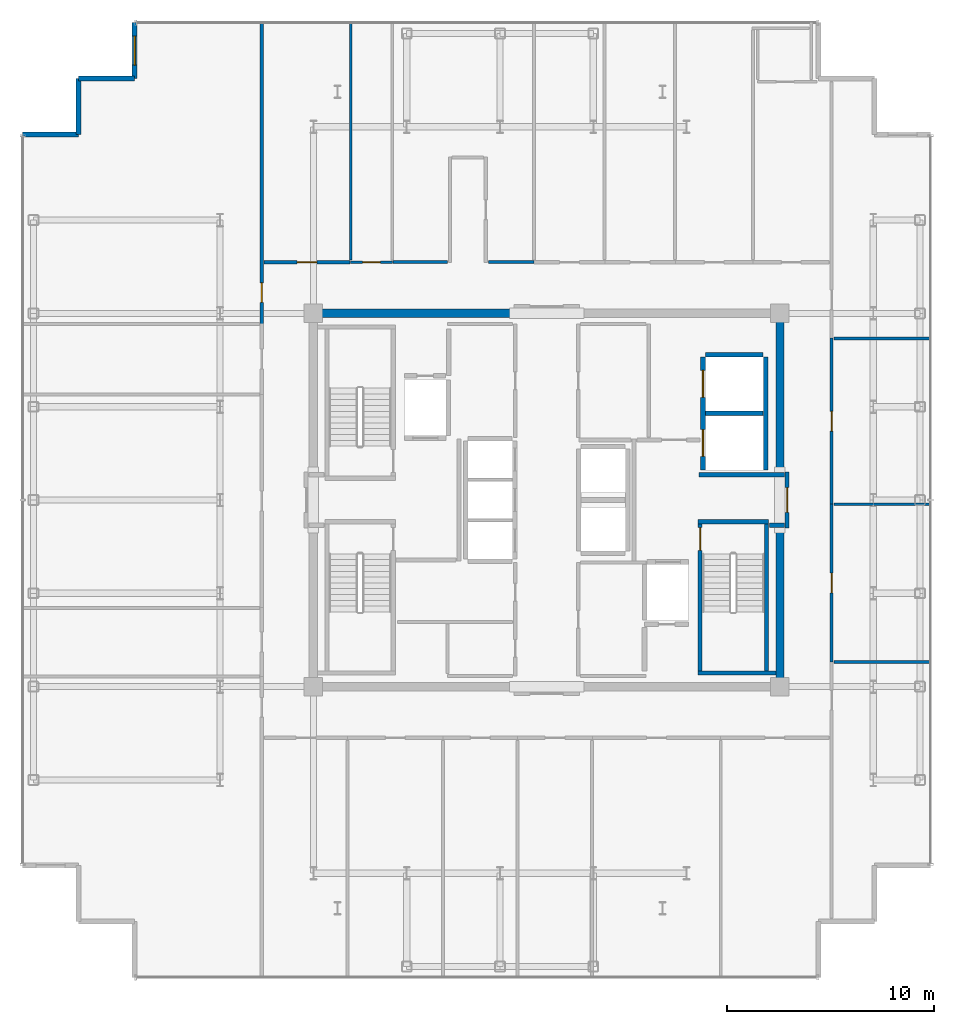
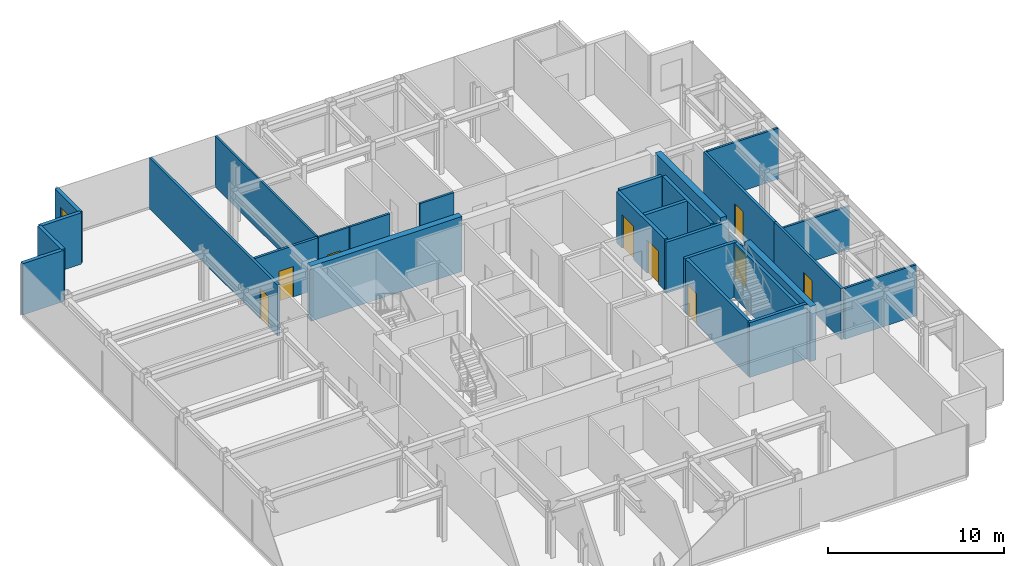
# One storey, part 15 of 17: 29 walls, 9 doors, 1 window, 10 openings.
"""IFC4 building model written with IfcOpenShell, lengths in metres."""

from ifc_helpers import new_model, si_unit, direction, frame, frame_2d, origin, place, context, subcontext, project, spatial, rectangle, extrude, source, transform, mapped, material, layer, layer_set, type_object, element, fill, save


model = new_model("IFC4")

# Units and contexts
model_context = context("Model", 3, precision=1e-05, world=origin(), true_north=direction((0.0, 1.0)))
body_context = subcontext(model_context, "Body", "Model", "MODEL_VIEW")
ifc_project = project(units=[si_unit("LENGTHUNIT", "METRE"), si_unit("AREAUNIT", "SQUARE_METRE"), si_unit("VOLUMEUNIT", "CUBIC_METRE"), si_unit("PLANEANGLEUNIT", "RADIAN"), si_unit("MASSUNIT", "GRAM", prefix="KILO")], contexts=[model_context])

# Site, building, storey
site_placement = place(None, origin())
site = spatial("IfcSite", under=ifc_project, at=site_placement, CompositionType="ELEMENT")
building_placement = place(site_placement, origin())
building = spatial("IfcBuilding", under=site, at=building_placement, Name="Nefas-Gora Pilgrimage Tower", CompositionType="ELEMENT")
storey_placement = place(building_placement, frame((0.0, 0.0, 341.39990234375)))
storey = spatial("IfcBuildingStorey", under=building, at=storey_placement, Name="L86", CompositionType="ELEMENT", Elevation=341.39990234375)

# Walls
ifc_material_1 = material(Name="Concrete C50/60", Category="concrete")
ifc_layer_1 = layer(ifc_material_1, 0.39990234375)
ifc_layer_set_1 = layer_set([ifc_layer_1], Name="Concrete C50/60")
wall_type_1 = type_object("IfcWallType", Name="SW-CORE-400", PredefinedType="SHEAR", material=ifc_layer_set_1)
shared_shape_1 = source(origin(), body_context, "Body", "SweptSolid", [
    extrude(rectangle(XDim=9.89990234375, YDim=0.39990234375, at=frame_2d((4.949951171875, 0.0))), origin(), (0.0, 0.0, 1.0), 3.800048828125),
])
wall_1_placement = place(storey_placement, frame((-11.449951171875, 9.0, 0.0), z_axis=(0.0, 0.0, 1.0), x_axis=(1.0, 0.0, 0.0)))
element("IfcWall", 1, at=wall_1_placement, inside=storey, type_object=wall_type_1, Name="L86 Core Shear Wall N-West", PredefinedType="SHEAR", context=body_context, shape_type="MappedRepresentation", body=[
    mapped(shared_shape_1, transform((0.0, 0.0, 0.0), x_axis=(1.0, 0.0, 0.0), y_axis=(0.0, 1.0, 0.0), z_axis=(0.0, 0.0, 1.0), scale=1.0)),
])
shared_shape_2 = source(origin(), body_context, "Body", "SweptSolid", [
    extrude(rectangle(XDim=7.449951171875, YDim=0.39990234375, at=frame_2d((3.72509765625, 0.0))), origin(), (0.0, 0.0, 1.0), 3.800048828125),
])
for number, where, z_axis, x_axis, name in (
    (2, (11.25, -8.800048828125, 0.0), (0.0, 0.0, 1.0), (0.0, 1.0, 0.0), "L86 Core Shear Wall E-South"),
    (3, (11.25, 1.35009765625, 0.0), (0.0, 0.0, 1.0), (0.0, 1.0, 0.0), "L86 Core Shear Wall E-North"),
):
    element("IfcWall", number, at=place(storey_placement, frame(where, z_axis=z_axis, x_axis=x_axis)), inside=storey, type_object=wall_type_1, Name=name, PredefinedType="SHEAR", context=body_context, shape_type="MappedRepresentation", body=[
        mapped(shared_shape_2, transform((0.0, 0.0, 0.0), x_axis=(1.0, 0.0, 0.0), y_axis=(0.0, 1.0, 0.0), z_axis=(0.0, 0.0, 1.0), scale=1.0)),
    ])

# Wall, opening, window
ifc_material_2 = material(Name="Precast concrete C45/55", Category="concrete")
ifc_layer_2 = layer(ifc_material_2, 0.239990234375)
ifc_layer_set_2 = layer_set([ifc_layer_2], Name="Precast concrete C45/55")
wall_type_2 = type_object("IfcWallType", Name="EW-SERR-240", PredefinedType="SHEAR", material=ifc_layer_set_2)
shared_shape_3 = source(origin(), body_context, "Body", "SweptSolid", [
    extrude(rectangle(XDim=2.699951171875, YDim=0.239990234375, at=frame_2d((1.35009765625, 0.0))), origin(), (0.0, 0.0, 1.0), 3.550048828125),
])
wall_2_placement = place(storey_placement, frame((-19.8701171875, 23.02001953125, 0.0), z_axis=(0.0, 0.0, 1.0), x_axis=(0.0, -1.0, 0.0)))
wall_2 = element("IfcWall", 4, at=wall_2_placement, inside=storey, type_object=wall_type_2, Name="L86 Serrated Corner Shear Pier Wall 5", PredefinedType="SHEAR", context=body_context, shape_type="MappedRepresentation", body=[
    mapped(shared_shape_3, transform((0.0, 0.0, 0.0), x_axis=(1.0, 0.0, 0.0), y_axis=(0.0, 1.0, 0.0), z_axis=(0.0, 0.0, 1.0), scale=1.0)),
])
opening_1_placement = place(wall_2_placement, frame((0.64990234375, 0.0, 0.85009765625)))
opening_1 = element("IfcOpeningElement", 5, at=opening_1_placement, cuts=wall_2, Name="Opening W-V2", PredefinedType="OPENING", context=body_context, shape_type="SweptSolid", body=[
    extrude(rectangle(XDim=1.39990234375, YDim=1.800048828125, at=frame_2d((0.699951171875, 0.89990234375))), frame((0.0, 0.1298828125, 0.0), z_axis=(0.0, -1.0, 0.0), x_axis=(1.0, 0.0, 0.0)), (0.0, 0.0, 1.0), 0.260009765625),
])
ifc_material_3 = material(Name="Dark ceramic-fritted operable aluminium-glass window", Category="aluminium")
window_type = type_object("IfcWindowType", Name="WIN-VENT-1400x1800", PartitioningType="SINGLE_PANEL", PredefinedType="WINDOW", material=ifc_material_3)
shared_shape_4 = source(origin(), body_context, "Body", "SweptSolid", [
    extrude(rectangle(XDim=1.39990234375, YDim=1.800048828125, at=frame_2d((0.699951171875, 0.89990234375))), frame((0.0, 0.030029296875, 0.0), z_axis=(0.0, -1.0, 0.0), x_axis=(1.0, 0.0, 0.0)), (0.0, 0.0, 1.0), 0.06005859375),
])
window_placement = place(opening_1_placement, origin())
window = element("IfcWindow", 6, at=window_placement, inside=storey, type_object=window_type, Name="L86 Operable Parallel-Outswing Window 5", OverallHeight=1.800048828125, OverallWidth=1.39990234375, PartitioningType="SINGLE_PANEL", PredefinedType="WINDOW", context=body_context, shape_type="MappedRepresentation", body=[
    mapped(shared_shape_4, transform((0.0, 0.0, 0.0), x_axis=(1.0, 0.0, 0.0), y_axis=(0.0, 1.0, 0.0), z_axis=(0.0, 0.0, 1.0), scale=1.0)),
])
fill(opening_1, window)

# Walls
for number, where, z_axis, x_axis, name in (
    (7, (-19.8701171875, 20.320068359375, 0.0), (0.0, 0.0, 1.0), (-1.0, 0.0, 0.0), "L86 Serrated Corner Shear Pier Wall 6"),
    (8, (-22.570068359375, 20.320068359375, 0.0), (0.0, 0.0, 1.0), (0.0, -1.0, 0.0), "L86 Serrated Corner Shear Pier Wall 7"),
    (9, (-22.570068359375, 17.6201171875, 0.0), (0.0, 0.0, 1.0), (-1.0, 0.0, 0.0), "L86 Serrated Corner Shear Pier Wall 8"),
):
    element("IfcWall", number, at=place(storey_placement, frame(where, z_axis=z_axis, x_axis=x_axis)), inside=storey, type_object=wall_type_2, Name=name, PredefinedType="SHEAR", context=body_context, shape_type="MappedRepresentation", body=[
        mapped(shared_shape_3, transform((0.0, 0.0, 0.0), x_axis=(1.0, 0.0, 0.0), y_axis=(0.0, 1.0, 0.0), z_axis=(0.0, 0.0, 1.0), scale=1.0)),
    ])
ifc_material_4 = material(Name="Concrete C45/55", Category="concrete")
ifc_layer_3 = layer(ifc_material_4, 0.199951171875)
ifc_layer_set_3 = layer_set([ifc_layer_3], Name="Concrete C45/55")
wall_type_3 = type_object("IfcWallType", Name="IW-STAIR-200", PredefinedType="SOLIDWALL", material=ifc_layer_set_3)
shared_shape_5 = source(origin(), body_context, "Body", "SweptSolid", [
    extrude(rectangle(XDim=3.39990234375, YDim=0.199951171875, at=frame_2d((1.699951171875, 0.0))), origin(), (0.0, 0.0, 1.0), 3.800048828125),
])
wall_3_placement = place(storey_placement, frame((7.300048828125, -1.050048828125, 0.0), z_axis=(0.0, 0.0, 1.0), x_axis=(1.0, 0.0, 0.0)))
element("IfcWall", 10, at=wall_3_placement, inside=storey, type_object=wall_type_3, Name="L86 Stairwell Shear Wall ST-02-near", PredefinedType="SOLIDWALL", context=body_context, shape_type="MappedRepresentation", body=[
    mapped(shared_shape_5, transform((0.0, 0.0, 0.0), x_axis=(1.0, 0.0, 0.0), y_axis=(0.0, 1.0, 0.0), z_axis=(0.0, 0.0, 1.0), scale=1.0)),
])

# Wall, opening, door
shared_shape_6 = source(origin(), body_context, "Body", "SweptSolid", [
    extrude(rectangle(XDim=7.10009765625, YDim=0.199951171875, at=frame_2d((3.550048828125, 0.0))), origin(), (0.0, 0.0, 1.0), 3.800048828125),
])
wall_4_placement = place(storey_placement, frame((7.39990234375, -1.14990234375, 0.0), z_axis=(0.0, 0.0, 1.0), x_axis=(0.0, -1.0, 0.0)))
wall_4 = element("IfcWall", 11, at=wall_4_placement, inside=storey, type_object=wall_type_3, Name="L86 Stairwell Shear Wall ST-02-left", PredefinedType="SOLIDWALL", context=body_context, shape_type="MappedRepresentation", body=[
    mapped(shared_shape_6, transform((0.0, 0.0, 0.0), x_axis=(1.0, 0.0, 0.0), y_axis=(0.0, 1.0, 0.0), z_axis=(0.0, 0.0, 1.0), scale=1.0)),
])
opening_2_placement = place(wall_4_placement, frame((0.179931640625, 0.0, 0.0)))
opening_2 = element("IfcOpeningElement", 12, at=opening_2_placement, cuts=wall_4, Name="Opening ID-ST1", PredefinedType="OPENING", context=body_context, shape_type="SweptSolid", body=[
    extrude(rectangle(XDim=1.10009765625, YDim=2.14990234375, at=frame_2d((0.550048828125, 1.074951171875))), frame((0.0, 0.10986328125, 0.0), z_axis=(0.0, -1.0, 0.0), x_axis=(1.0, 0.0, 0.0)), (0.0, 0.0, 1.0), 0.219970703125),
])
ifc_material_5 = material(Name="Painted galvanised steel fire stair door", Category="steel")
door_type_1 = type_object("IfcDoorType", Name="DR-INT-STAIR-1100", OperationType="NOTDEFINED", PredefinedType="DOOR", material=ifc_material_5)
shared_shape_7 = source(origin(), body_context, "Body", "SweptSolid", [
    extrude(rectangle(XDim=1.10009765625, YDim=2.14990234375, at=frame_2d((0.550048828125, 1.074951171875))), frame((0.0, 0.02490234375, 0.0), z_axis=(0.0, -1.0, 0.0), x_axis=(1.0, 0.0, 0.0)), (0.0, 0.0, 1.0), 0.050048828125),
])
door_1_placement = place(opening_2_placement, origin())
door_1 = element("IfcDoor", 13, at=door_1_placement, inside=storey, type_object=door_type_1, Name="L86 Protected Exit Stair Door ST-02", OperationType="SINGLE_SWING_LEFT", OverallHeight=2.14990234375, OverallWidth=1.10009765625, PredefinedType="DOOR", context=body_context, shape_type="MappedRepresentation", body=[
    mapped(shared_shape_7, transform((0.0, 0.0, 0.0), x_axis=(1.0, 0.0, 0.0), y_axis=(0.0, 1.0, 0.0), z_axis=(0.0, 0.0, 1.0), scale=1.0)),
])
fill(opening_2, door_1)

# Walls
wall_5_placement = place(storey_placement, frame((10.60009765625, -1.14990234375, 0.0), z_axis=(0.0, 0.0, 1.0), x_axis=(0.0, -1.0, 0.0)))
element("IfcWall", 14, at=wall_5_placement, inside=storey, type_object=wall_type_3, Name="L86 Stairwell Shear Wall ST-02-right", PredefinedType="SOLIDWALL", context=body_context, shape_type="MappedRepresentation", body=[
    mapped(shared_shape_6, transform((0.0, 0.0, 0.0), x_axis=(1.0, 0.0, 0.0), y_axis=(0.0, 1.0, 0.0), z_axis=(0.0, 0.0, 1.0), scale=1.0)),
])
shared_shape_8 = source(origin(), body_context, "Body", "SweptSolid", [
    extrude(rectangle(XDim=3.7548828125, YDim=0.199951171875, at=frame_2d((1.87744140625, 0.0))), origin(), (0.0, 0.0, 1.0), 3.800048828125),
])
wall_6_placement = place(storey_placement, frame((7.300048828125, -8.35009765625, 0.0), z_axis=(0.0, 0.0, 1.0), x_axis=(1.0, 0.0, 0.0)))
element("IfcWall", 15, at=wall_6_placement, inside=storey, type_object=wall_type_3, Name="L86 Stairwell Shear Wall ST-02-far", PredefinedType="SOLIDWALL", context=body_context, shape_type="MappedRepresentation", body=[
    mapped(shared_shape_8, transform((0.0, 0.0, 0.0), x_axis=(1.0, 0.0, 0.0), y_axis=(0.0, 1.0, 0.0), z_axis=(0.0, 0.0, 1.0), scale=1.0)),
])

# Wall, openings, doors
ifc_material_6 = material(Name="Concrete C40/50", Category="concrete")
ifc_layer_4 = layer(ifc_material_6, 0.219970703125)
ifc_layer_set_4 = layer_set([ifc_layer_4], Name="Concrete C40/50")
wall_type_4 = type_object("IfcWallType", Name="IW-SHAFT-220", PredefinedType="SOLIDWALL", material=ifc_layer_set_4)
shared_shape_9 = source(origin(), body_context, "Body", "SweptSolid", [
    extrude(rectangle(XDim=5.449951171875, YDim=0.219970703125, at=frame_2d((2.72509765625, 0.0))), origin(), (0.0, 0.0, 1.0), 3.53515625),
])
wall_7_placement = place(storey_placement, frame((7.5400390625, 6.89990234375, 0.0), z_axis=(0.0, 0.0, 1.0), x_axis=(0.0, -1.0, 0.0)))
wall_7 = element("IfcWall", 16, at=wall_7_placement, inside=storey, type_object=wall_type_4, Name="L86 Hoistway Wall SL-01-02-W", PredefinedType="SOLIDWALL", context=body_context, shape_type="MappedRepresentation", body=[
    mapped(shared_shape_9, transform((0.0, 0.0, 0.0), x_axis=(1.0, 0.0, 0.0), y_axis=(0.0, 1.0, 0.0), z_axis=(0.0, 0.0, 1.0), scale=1.0)),
])
opening_3_placement = place(wall_7_placement, frame((3.5, 0.0, 0.0)))
opening_3 = element("IfcOpeningElement", 17, at=opening_3_placement, cuts=wall_7, Name="Opening LD-SV", PredefinedType="OPENING", context=body_context, shape_type="SweptSolid", body=[
    extrude(rectangle(XDim=1.300048828125, YDim=2.300048828125, at=frame_2d((0.64990234375, 1.14990234375))), frame((0.0, 0.119873046875, 0.0), z_axis=(0.0, -1.0, 0.0), x_axis=(1.0, 0.0, 0.0)), (0.0, 0.0, 1.0), 0.239990234375),
])
opening_4_placement = place(wall_7_placement, frame((0.64990234375, 0.0, 0.0)))
opening_4 = element("IfcOpeningElement", 18, at=opening_4_placement, cuts=wall_7, Name="Opening LD-SV", PredefinedType="OPENING", context=body_context, shape_type="SweptSolid", body=[
    extrude(rectangle(XDim=1.300048828125, YDim=2.300048828125, at=frame_2d((0.64990234375, 1.14990234375))), frame((0.0, 0.119873046875, 0.0), z_axis=(0.0, -1.0, 0.0), x_axis=(1.0, 0.0, 0.0)), (0.0, 0.0, 1.0), 0.239990234375),
])
ifc_material_7 = material(Name="Heavy goods sliding lift landing door")
door_type_2 = type_object("IfcDoorType", Name="DR-LIFT-SERV-1300", OperationType="SLIDING_TO_RIGHT", PredefinedType="DOOR", material=ifc_material_7)
shared_shape_10 = source(origin(), body_context, "Body", "SweptSolid", [
    extrude(rectangle(XDim=1.300048828125, YDim=2.300048828125, at=frame_2d((0.64990234375, 1.14990234375))), frame((0.0, 0.02490234375, 0.0), z_axis=(0.0, -1.0, 0.0), x_axis=(1.0, 0.0, 0.0)), (0.0, 0.0, 1.0), 0.050048828125),
])
door_2_placement = place(opening_3_placement, origin())
door_2 = element("IfcDoor", 19, at=door_2_placement, inside=storey, type_object=door_type_2, Name="L86 Sliding Lift Landing Door SL-01", OperationType="SLIDING_TO_RIGHT", OverallHeight=2.300048828125, OverallWidth=1.300048828125, PredefinedType="DOOR", context=body_context, shape_type="MappedRepresentation", body=[
    mapped(shared_shape_10, transform((0.0, 0.0, 0.0), x_axis=(1.0, 0.0, 0.0), y_axis=(0.0, 1.0, 0.0), z_axis=(0.0, 0.0, 1.0), scale=1.0)),
])
fill(opening_3, door_2)
door_3_placement = place(opening_4_placement, origin())
door_3 = element("IfcDoor", 20, at=door_3_placement, inside=storey, type_object=door_type_2, Name="L86 Sliding Lift Landing Door SL-02", OperationType="SLIDING_TO_RIGHT", OverallHeight=2.300048828125, OverallWidth=1.300048828125, PredefinedType="DOOR", context=body_context, shape_type="MappedRepresentation", body=[
    mapped(shared_shape_10, transform((0.0, 0.0, 0.0), x_axis=(1.0, 0.0, 0.0), y_axis=(0.0, 1.0, 0.0), z_axis=(0.0, 0.0, 1.0), scale=1.0)),
])
fill(opening_4, door_3)

# Walls
wall_8_placement = place(storey_placement, frame((10.56005859375, 1.449951171875, 0.0), z_axis=(0.0, 0.0, 1.0), x_axis=(0.0, 1.0, 0.0)))
element("IfcWall", 21, at=wall_8_placement, inside=storey, type_object=wall_type_4, Name="L86 Hoistway Wall SL-01-02-E", PredefinedType="SOLIDWALL", context=body_context, shape_type="MappedRepresentation", body=[
    mapped(shared_shape_9, transform((0.0, 0.0, 0.0), x_axis=(1.0, 0.0, 0.0), y_axis=(0.0, 1.0, 0.0), z_axis=(0.0, 0.0, 1.0), scale=1.0)),
])
shared_shape_11 = source(origin(), body_context, "Body", "SweptSolid", [
    extrude(rectangle(XDim=2.780029296875, YDim=0.219970703125, at=frame_2d((1.39013671875, 0.0))), origin(), (0.0, 0.0, 1.0), 3.53515625),
])
for number, where, z_axis, x_axis, name in (
    (22, (7.659912109375, 4.175048828125, 0.0), (0.0, 0.0, 1.0), (1.0, 0.0, 0.0), "L86 Hoistway Wall SL-01-02-DIV"),
    (23, (10.43994140625, 7.010009765625, 0.0), (0.0, 0.0, 1.0), (-1.0, 0.0, 0.0), "L86 Hoistway Wall SL-02-N"),
):
    element("IfcWall", number, at=place(storey_placement, frame(where, z_axis=z_axis, x_axis=x_axis)), inside=storey, type_object=wall_type_4, Name=name, PredefinedType="SOLIDWALL", context=body_context, shape_type="MappedRepresentation", body=[
        mapped(shared_shape_11, transform((0.0, 0.0, 0.0), x_axis=(1.0, 0.0, 0.0), y_axis=(0.0, 1.0, 0.0), z_axis=(0.0, 0.0, 1.0), scale=1.0)),
    ])
ifc_material_8 = material(Name="Gypsum fire-rated shaftwall")
ifc_layer_5 = layer(ifc_material_8, 0.199951171875)
ifc_layer_set_5 = layer_set([ifc_layer_5], Name="Gypsum fire-rated shaftwall")
wall_type_5 = type_object("IfcWallType", Name="IW-FFLOB-200", PredefinedType="PARTITIONING", material=ifc_layer_set_5)
shared_shape_12 = source(origin(), body_context, "Body", "SweptSolid", [
    extrude(rectangle(XDim=0.719970703125, YDim=0.199951171875, at=frame_2d((0.35986328125, 0.0))), origin(), (0.0, 0.0, 1.0), 3.53515625),
])
wall_9_placement = place(storey_placement, frame((10.739990234375, -1.219970703125, 0.0), z_axis=(0.0, 0.0, 1.0), x_axis=(1.0, 0.0, 0.0)))
element("IfcWall", 24, at=wall_9_placement, inside=storey, type_object=wall_type_5, Name="L86 FF Lobby East Throat S Wall 15", PredefinedType="PARTITIONING", context=body_context, shape_type="MappedRepresentation", body=[
    mapped(shared_shape_12, transform((0.0, 0.0, 0.0), x_axis=(1.0, 0.0, 0.0), y_axis=(0.0, 1.0, 0.0), z_axis=(0.0, 0.0, 1.0), scale=1.0)),
])
shared_shape_13 = source(origin(), body_context, "Body", "SweptSolid", [
    extrude(rectangle(XDim=4.10986328125, YDim=0.199951171875, at=frame_2d((2.054931640625, 0.0))), origin(), (0.0, 0.0, 1.0), 3.53515625),
])
wall_10_placement = place(storey_placement, frame((7.35009765625, 1.219970703125, 0.0), z_axis=(0.0, 0.0, 1.0), x_axis=(1.0, 0.0, 0.0)))
element("IfcWall", 25, at=wall_10_placement, inside=storey, type_object=wall_type_5, Name="L86 FF Lobby East Throat N Wall 14", PredefinedType="PARTITIONING", context=body_context, shape_type="MappedRepresentation", body=[
    mapped(shared_shape_13, transform((0.0, 0.0, 0.0), x_axis=(1.0, 0.0, 0.0), y_axis=(0.0, 1.0, 0.0), z_axis=(0.0, 0.0, 1.0), scale=1.0)),
])

# Wall, opening, door
ifc_material_9 = material(Name="Moisture-resistant fire-rated gypsum partition")
ifc_layer_6 = layer(ifc_material_9, 0.1201171875)
ifc_layer_set_6 = layer_set([ifc_layer_6], Name="Moisture-resistant fire-rated gypsum partition")
wall_type_6 = type_object("IfcWallType", Name="IW-WET-120", PredefinedType="PLUMBINGWALL", material=ifc_layer_set_6)
shared_shape_14 = source(origin(), body_context, "Body", "SweptSolid", [
    extrude(rectangle(XDim=2.02001953125, YDim=0.1201171875, at=frame_2d((1.010009765625, 0.0))), origin(), (0.0, 0.0, 1.0), 3.53515625),
])
wall_11_placement = place(storey_placement, frame((-9.4599609375, 11.469970703125, 0.0), z_axis=(0.0, 0.0, 1.0), x_axis=(1.0, 0.0, 0.0)))
wall_11 = element("IfcWall", 26, at=wall_11_placement, inside=storey, type_object=wall_type_6, Name="L86 Accessible Unisex WC Partition Wall 34", PredefinedType="PLUMBINGWALL", context=body_context, shape_type="MappedRepresentation", body=[
    mapped(shared_shape_14, transform((0.0, 0.0, 0.0), x_axis=(1.0, 0.0, 0.0), y_axis=(0.0, 1.0, 0.0), z_axis=(0.0, 0.0, 1.0), scale=1.0)),
])
opening_5_placement = place(wall_11_placement, frame((0.5849609375, 0.0, 0.0)))
opening_5 = element("IfcOpeningElement", 27, at=opening_5_placement, cuts=wall_11, Name="Opening ID-BT1", PredefinedType="OPENING", context=body_context, shape_type="SweptSolid", body=[
    extrude(rectangle(XDim=0.85009765625, YDim=2.10009765625, at=frame_2d((0.425048828125, 1.050048828125))), frame((0.0, 0.070068359375, 0.0), z_axis=(0.0, -1.0, 0.0), x_axis=(1.0, 0.0, 0.0)), (0.0, 0.0, 1.0), 0.14013671875),
])
ifc_material_10 = material(Name="Moisture-resistant fire-rated timber door", Category="wood")
door_type_3 = type_object("IfcDoorType", Name="DR-INT-BATH-850", OperationType="NOTDEFINED", PredefinedType="DOOR", material=ifc_material_10)
shared_shape_15 = source(origin(), body_context, "Body", "SweptSolid", [
    extrude(rectangle(XDim=0.85009765625, YDim=2.10009765625, at=frame_2d((0.425048828125, 1.050048828125))), frame((0.0, 0.02490234375, 0.0), z_axis=(0.0, -1.0, 0.0), x_axis=(1.0, 0.0, 0.0)), (0.0, 0.0, 1.0), 0.050048828125),
])
door_4_placement = place(opening_5_placement, origin())
door_4 = element("IfcDoor", 28, at=door_4_placement, inside=storey, type_object=door_type_3, Name="L86 Accessible Unisex WC Door 14", OperationType="SINGLE_SWING_RIGHT", OverallHeight=2.10009765625, OverallWidth=0.85009765625, PredefinedType="DOOR", context=body_context, shape_type="MappedRepresentation", body=[
    mapped(shared_shape_15, transform((0.0, 0.0, 0.0), x_axis=(1.0, 0.0, 0.0), y_axis=(0.0, 1.0, 0.0), z_axis=(0.0, 0.0, 1.0), scale=1.0)),
])
fill(opening_5, door_4)

ifc_material_11 = material(Name="Gypsum acoustic stud partition")
ifc_layer_7 = layer(ifc_material_11, 0.159912109375)
ifc_layer_set_7 = layer_set([ifc_layer_7], Name="Gypsum acoustic stud partition")
wall_type_7 = type_object("IfcWallType", Name="IW-CORR-160", PredefinedType="PARTITIONING", material=ifc_layer_set_7)
shared_shape_16 = source(origin(), body_context, "Body", "SweptSolid", [
    extrude(rectangle(XDim=4.125, YDim=0.159912109375, at=frame_2d((2.0625, 0.0))), origin(), (0.0, 0.0, 1.0), 3.53515625),
])
wall_12_placement = place(storey_placement, frame((-13.6201171875, 11.469970703125, 0.0), z_axis=(0.0, 0.0, 1.0), x_axis=(1.0, 0.0, 0.0)))
wall_12 = element("IfcWall", 29, at=wall_12_placement, inside=storey, type_object=wall_type_7, Name="L86 Pilgrim Fellowship Seminar Room Partition Wall 53", PredefinedType="PARTITIONING", context=body_context, shape_type="MappedRepresentation", body=[
    mapped(shared_shape_16, transform((0.0, 0.0, 0.0), x_axis=(1.0, 0.0, 0.0), y_axis=(0.0, 1.0, 0.0), z_axis=(0.0, 0.0, 1.0), scale=1.0)),
])
opening_6_placement = place(wall_12_placement, frame((1.58740234375, 0.0, 0.0)))
opening_6 = element("IfcOpeningElement", 30, at=opening_6_placement, cuts=wall_12, Name="Opening ID-GR1", PredefinedType="OPENING", context=body_context, shape_type="SweptSolid", body=[
    extrude(rectangle(XDim=0.949951171875, YDim=2.10009765625, at=frame_2d((0.47509765625, 1.050048828125))), frame((0.0, 0.08984375, 0.0), z_axis=(0.0, -1.0, 0.0), x_axis=(1.0, 0.0, 0.0)), (0.0, 0.0, 1.0), 0.179931640625),
])
ifc_material_12 = material(Name="Solid core oak fire-rated guest entrance door")
door_type_4 = type_object("IfcDoorType", Name="DR-INT-GUEST-950", OperationType="NOTDEFINED", PredefinedType="DOOR", material=ifc_material_12)
shared_shape_17 = source(origin(), body_context, "Body", "SweptSolid", [
    extrude(rectangle(XDim=0.949951171875, YDim=2.10009765625, at=frame_2d((0.47509765625, 1.050048828125))), frame((0.0, 0.02490234375, 0.0), z_axis=(0.0, -1.0, 0.0), x_axis=(1.0, 0.0, 0.0)), (0.0, 0.0, 1.0), 0.050048828125),
])
door_5_placement = place(opening_6_placement, origin())
door_5 = element("IfcDoor", 31, at=door_5_placement, inside=storey, type_object=door_type_4, Name="L86 Pilgrim Fellowship Seminar Room Door 24", OperationType="SINGLE_SWING_RIGHT", OverallHeight=2.10009765625, OverallWidth=0.949951171875, PredefinedType="DOOR", context=body_context, shape_type="MappedRepresentation", body=[
    mapped(shared_shape_17, transform((0.0, 0.0, 0.0), x_axis=(1.0, 0.0, 0.0), y_axis=(0.0, 1.0, 0.0), z_axis=(0.0, 0.0, 1.0), scale=1.0)),
])
fill(opening_6, door_5)

shared_shape_18 = source(origin(), body_context, "Body", "SweptSolid", [
    extrude(rectangle(XDim=14.544921875, YDim=0.159912109375, at=frame_2d((7.2724609375, 0.0))), origin(), (0.0, 0.0, 1.0), 3.53515625),
])
wall_13_placement = place(storey_placement, frame((-13.739990234375, 8.4951171875, 0.0), z_axis=(0.0, 0.0, 1.0), x_axis=(0.0, 1.0, 0.0)))
wall_13 = element("IfcWall", 32, at=wall_13_placement, inside=storey, type_object=wall_type_7, Name="L86 Pilgrim Devotional Prayer Gallery Partition Wall 45", PredefinedType="PARTITIONING", context=body_context, shape_type="MappedRepresentation", body=[
    mapped(shared_shape_18, transform((0.0, 0.0, 0.0), x_axis=(1.0, 0.0, 0.0), y_axis=(0.0, 1.0, 0.0), z_axis=(0.0, 0.0, 1.0), scale=1.0)),
])
opening_7_placement = place(wall_13_placement, frame((1.032470703125, 0.0, 0.0)))
opening_7 = element("IfcOpeningElement", 33, at=opening_7_placement, cuts=wall_13, Name="Opening ID-GR1", PredefinedType="OPENING", context=body_context, shape_type="SweptSolid", body=[
    extrude(rectangle(XDim=0.949951171875, YDim=2.10009765625, at=frame_2d((0.47509765625, 1.050048828125))), frame((0.0, 0.08984375, 0.0), z_axis=(0.0, -1.0, 0.0), x_axis=(1.0, 0.0, 0.0)), (0.0, 0.0, 1.0), 0.179931640625),
])
door_6_placement = place(opening_7_placement, origin())
door_6 = element("IfcDoor", 34, at=door_6_placement, inside=storey, type_object=door_type_4, Name="L86 Pilgrim Devotional Prayer Gallery Door 19", OperationType="SINGLE_SWING_LEFT", OverallHeight=2.10009765625, OverallWidth=0.949951171875, PredefinedType="DOOR", context=body_context, shape_type="MappedRepresentation", body=[
    mapped(shared_shape_17, transform((0.0, 0.0, 0.0), x_axis=(1.0, 0.0, 0.0), y_axis=(0.0, 1.0, 0.0), z_axis=(0.0, 0.0, 1.0), scale=1.0)),
])
fill(opening_7, door_6)

shared_shape_19 = source(origin(), body_context, "Body", "SweptSolid", [
    extrude(rectangle(XDim=8.010009765625, YDim=0.159912109375, at=frame_2d((4.0048828125, 0.0))), origin(), (0.0, 0.0, 1.0), 3.53515625),
])
wall_14_placement = place(storey_placement, frame((13.739990234375, -0.205078125, 0.0), z_axis=(0.0, 0.0, 1.0), x_axis=(0.0, 1.0, 0.0)))
wall_14 = element("IfcWall", 35, at=wall_14_placement, inside=storey, type_object=wall_type_7, Name="L86 Pilgrim Fellowship Seminar Room Partition Wall 50", PredefinedType="PARTITIONING", context=body_context, shape_type="MappedRepresentation", body=[
    mapped(shared_shape_19, transform((0.0, 0.0, 0.0), x_axis=(1.0, 0.0, 0.0), y_axis=(0.0, 1.0, 0.0), z_axis=(0.0, 0.0, 1.0), scale=1.0)),
])
opening_8_placement = place(wall_14_placement, frame((3.530029296875, 0.0, 0.0)))
opening_8 = element("IfcOpeningElement", 36, at=opening_8_placement, cuts=wall_14, Name="Opening ID-GR1", PredefinedType="OPENING", context=body_context, shape_type="SweptSolid", body=[
    extrude(rectangle(XDim=0.949951171875, YDim=2.10009765625, at=frame_2d((0.47509765625, 1.050048828125))), frame((0.0, 0.08984375, 0.0), z_axis=(0.0, -1.0, 0.0), x_axis=(1.0, 0.0, 0.0)), (0.0, 0.0, 1.0), 0.179931640625),
])
door_7_placement = place(opening_8_placement, origin())
door_7 = element("IfcDoor", 37, at=door_7_placement, inside=storey, type_object=door_type_4, Name="L86 Pilgrim Fellowship Seminar Room Door 22", OperationType="SINGLE_SWING_RIGHT", OverallHeight=2.10009765625, OverallWidth=0.949951171875, PredefinedType="DOOR", context=body_context, shape_type="MappedRepresentation", body=[
    mapped(shared_shape_17, transform((0.0, 0.0, 0.0), x_axis=(1.0, 0.0, 0.0), y_axis=(0.0, 1.0, 0.0), z_axis=(0.0, 0.0, 1.0), scale=1.0)),
])
fill(opening_8, door_7)

shared_shape_20 = source(origin(), body_context, "Body", "SweptSolid", [
    extrude(rectangle(XDim=2.7001953125, YDim=0.199951171875, at=frame_2d((1.35009765625, 0.0))), origin(), (0.0, 0.0, 1.0), 2.625),
])
wall_15_placement = place(storey_placement, frame((11.60009765625, -1.35009765625, 0.0), z_axis=(0.0, 0.0, 1.0), x_axis=(0.0, 1.0, 0.0)))
wall_15 = element("IfcWall", 38, at=wall_15_placement, inside=storey, type_object=wall_type_5, Name="L86 FF Lobby East Portal Wall 10", PredefinedType="PARTITIONING", context=body_context, shape_type="MappedRepresentation", body=[
    mapped(shared_shape_20, transform((0.0, 0.0, 0.0), x_axis=(1.0, 0.0, 0.0), y_axis=(0.0, 1.0, 0.0), z_axis=(0.0, 0.0, 1.0), scale=1.0)),
])
opening_9_placement = place(wall_15_placement, frame((0.75, 0.0, 0.0)))
opening_9 = element("IfcOpeningElement", 39, at=opening_9_placement, cuts=wall_15, Name="Opening ID-FF1", PredefinedType="OPENING", context=body_context, shape_type="SweptSolid", body=[
    extrude(rectangle(XDim=1.199951171875, YDim=2.14990234375, at=frame_2d((0.60009765625, 1.074951171875))), frame((0.0, 0.10986328125, 0.0), z_axis=(0.0, -1.0, 0.0), x_axis=(1.0, 0.0, 0.0)), (0.0, 0.0, 1.0), 0.219970703125),
])
ifc_material_13 = material(Name="Smoke-sealed steel firefighting lobby door", Category="steel")
door_type_5 = type_object("IfcDoorType", Name="DR-INT-FFLOB-1200", OperationType="NOTDEFINED", PredefinedType="DOOR", material=ifc_material_13)
shared_shape_21 = source(origin(), body_context, "Body", "SweptSolid", [
    extrude(rectangle(XDim=1.199951171875, YDim=2.14990234375, at=frame_2d((0.60009765625, 1.074951171875))), frame((0.0, 0.02490234375, 0.0), z_axis=(0.0, -1.0, 0.0), x_axis=(1.0, 0.0, 0.0)), (0.0, 0.0, 1.0), 0.050048828125),
])
door_8_placement = place(opening_9_placement, origin())
door_8 = element("IfcDoor", 40, at=door_8_placement, inside=storey, type_object=door_type_5, Name="L86 FF Lobby East Portal Door 4", OperationType="SINGLE_SWING_RIGHT", OverallHeight=2.14990234375, OverallWidth=1.199951171875, PredefinedType="DOOR", context=body_context, shape_type="MappedRepresentation", body=[
    mapped(shared_shape_21, transform((0.0, 0.0, 0.0), x_axis=(1.0, 0.0, 0.0), y_axis=(0.0, 1.0, 0.0), z_axis=(0.0, 0.0, 1.0), scale=1.0)),
])
fill(opening_9, door_8)

shared_shape_22 = source(origin(), body_context, "Body", "SweptSolid", [
    extrude(rectangle(XDim=7.60986328125, YDim=0.159912109375, at=frame_2d((3.804931640625, 0.0))), origin(), (0.0, 0.0, 1.0), 3.53515625),
])
wall_16_placement = place(storey_placement, frame((13.739990234375, -7.804931640625, 0.0), z_axis=(0.0, 0.0, 1.0), x_axis=(0.0, 1.0, 0.0)))
wall_16 = element("IfcWall", 41, at=wall_16_placement, inside=storey, type_object=wall_type_7, Name="L86 Pilgrim Fellowship Seminar Room Partition Wall 48", PredefinedType="PARTITIONING", context=body_context, shape_type="MappedRepresentation", body=[
    mapped(shared_shape_22, transform((0.0, 0.0, 0.0), x_axis=(1.0, 0.0, 0.0), y_axis=(0.0, 1.0, 0.0), z_axis=(0.0, 0.0, 1.0), scale=1.0)),
])
opening_10_placement = place(wall_16_placement, frame((3.330078125, 0.0, 0.0)))
opening_10 = element("IfcOpeningElement", 42, at=opening_10_placement, cuts=wall_16, Name="Opening ID-GR1", PredefinedType="OPENING", context=body_context, shape_type="SweptSolid", body=[
    extrude(rectangle(XDim=0.949951171875, YDim=2.10009765625, at=frame_2d((0.47509765625, 1.050048828125))), frame((0.0, 0.08984375, 0.0), z_axis=(0.0, -1.0, 0.0), x_axis=(1.0, 0.0, 0.0)), (0.0, 0.0, 1.0), 0.179931640625),
])
door_9_placement = place(opening_10_placement, origin())
door_9 = element("IfcDoor", 43, at=door_9_placement, inside=storey, type_object=door_type_4, Name="L86 Pilgrim Fellowship Seminar Room Door 21", OperationType="SINGLE_SWING_LEFT", OverallHeight=2.10009765625, OverallWidth=0.949951171875, PredefinedType="DOOR", context=body_context, shape_type="MappedRepresentation", body=[
    mapped(shared_shape_17, transform((0.0, 0.0, 0.0), x_axis=(1.0, 0.0, 0.0), y_axis=(0.0, 1.0, 0.0), z_axis=(0.0, 0.0, 1.0), scale=1.0)),
])
fill(opening_10, door_9)

# Walls
ifc_material_14 = material(Name="Gypsum twin-stud partition")
ifc_layer_8 = layer(ifc_material_14, 0.139892578125)
ifc_layer_set_8 = layer_set([ifc_layer_8], Name="Gypsum twin-stud partition")
wall_type_8 = type_object("IfcWallType", Name="IW-UNIT-140", PredefinedType="PARTITIONING", material=ifc_layer_set_8)
shared_shape_23 = source(origin(), body_context, "Body", "SweptSolid", [
    extrude(rectangle(XDim=4.679931640625, YDim=0.139892578125, at=frame_2d((2.33984375, 0.0))), origin(), (0.0, 0.0, 1.0), 3.53515625),
])
for number, where, z_axis, x_axis, name in (
    (44, (13.860107421875, -7.804931640625, 0.0), (0.0, 0.0, 1.0), (1.0, 0.0, 0.0), "L86 Pilgrim Tea and Beverage Pantry Partition Wall 47"),
    (45, (13.860107421875, 7.794921875, 0.0), (0.0, 0.0, 1.0), (1.0, 0.0, 0.0), "L86 Pilgrim Fellowship Seminar Room Partition Wall 51"),
):
    element("IfcWall", number, at=place(storey_placement, frame(where, z_axis=z_axis, x_axis=x_axis)), inside=storey, type_object=wall_type_8, Name=name, PredefinedType="PARTITIONING", context=body_context, shape_type="MappedRepresentation", body=[
        mapped(shared_shape_23, transform((0.0, 0.0, 0.0), x_axis=(1.0, 0.0, 0.0), y_axis=(0.0, 1.0, 0.0), z_axis=(0.0, 0.0, 1.0), scale=1.0)),
    ])
shared_shape_24 = source(origin(), body_context, "Body", "SweptSolid", [
    extrude(rectangle(XDim=4.679931640625, YDim=0.139892578125, at=frame_2d((2.33984375, 0.0))), origin(), (0.0, 0.0, 1.0), 2.97509765625),
])
wall_17_placement = place(storey_placement, frame((13.860107421875, -0.205078125, 0.0), z_axis=(0.0, 0.0, 1.0), x_axis=(1.0, 0.0, 0.0)))
element("IfcWall", 46, at=wall_17_placement, inside=storey, type_object=wall_type_8, Name="L86 Pilgrim Fellowship Seminar Room Partition Wall 49", PredefinedType="PARTITIONING", context=body_context, shape_type="MappedRepresentation", body=[
    mapped(shared_shape_24, transform((0.0, 0.0, 0.0), x_axis=(1.0, 0.0, 0.0), y_axis=(0.0, 1.0, 0.0), z_axis=(0.0, 0.0, 1.0), scale=1.0)),
])
shared_shape_25 = source(origin(), body_context, "Body", "SweptSolid", [
    extrude(rectangle(XDim=11.469970703125, YDim=0.1201171875, at=frame_2d((5.73486328125, 0.0))), origin(), (0.0, 0.0, 1.0), 3.53515625),
])
wall_18_placement = place(storey_placement, frame((-9.449951171875, 11.570068359375, 0.0), z_axis=(0.0, 0.0, 1.0), x_axis=(0.0, 1.0, 0.0)))
element("IfcWall", 47, at=wall_18_placement, inside=storey, type_object=wall_type_6, Name="L86 Accessible Unisex WC Partition Wall 35", PredefinedType="PLUMBINGWALL", context=body_context, shape_type="MappedRepresentation", body=[
    mapped(shared_shape_25, transform((0.0, 0.0, 0.0), x_axis=(1.0, 0.0, 0.0), y_axis=(0.0, 1.0, 0.0), z_axis=(0.0, 0.0, 1.0), scale=1.0)),
])
shared_shape_26 = source(origin(), body_context, "Body", "SweptSolid", [
    extrude(rectangle(XDim=2.625, YDim=0.139892578125, at=frame_2d((1.3125, 0.0))), origin(), (0.0, 0.0, 1.0), 3.53515625),
])
wall_19_placement = place(storey_placement, frame((-7.405029296875, 11.469970703125, 0.0), z_axis=(0.0, 0.0, 1.0), x_axis=(1.0, 0.0, 0.0)))
element("IfcWall", 48, at=wall_19_placement, inside=storey, type_object=wall_type_8, Name="L86 Pilgrim Contemplative Lounge Partition Wall 56", PredefinedType="PARTITIONING", context=body_context, shape_type="MappedRepresentation", body=[
    mapped(shared_shape_26, transform((0.0, 0.0, 0.0), x_axis=(1.0, 0.0, 0.0), y_axis=(0.0, 1.0, 0.0), z_axis=(0.0, 0.0, 1.0), scale=1.0)),
])
shared_shape_27 = source(origin(), body_context, "Body", "SweptSolid", [
    extrude(rectangle(XDim=2.2099609375, YDim=0.139892578125, at=frame_2d((1.10498046875, 0.0))), origin(), (0.0, 0.0, 1.0), 3.53515625),
])
wall_20_placement = place(storey_placement, frame((-2.81005859375, 11.469970703125, 0.0), z_axis=(0.0, 0.0, 1.0), x_axis=(1.0, 0.0, 0.0)))
element("IfcWall", 49, at=wall_20_placement, inside=storey, type_object=wall_type_8, Name="L86 Pilgrim Contemplative Lounge Partition Wall 57", PredefinedType="PARTITIONING", context=body_context, shape_type="MappedRepresentation", body=[
    mapped(shared_shape_27, transform((0.0, 0.0, 0.0), x_axis=(1.0, 0.0, 0.0), y_axis=(0.0, 1.0, 0.0), z_axis=(0.0, 0.0, 1.0), scale=1.0)),
])

save(model, "model.ifc")
